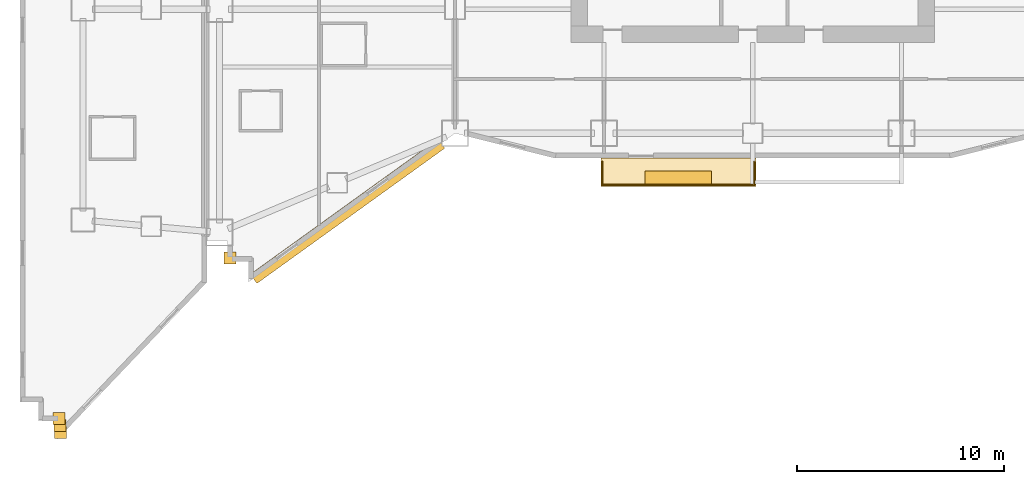
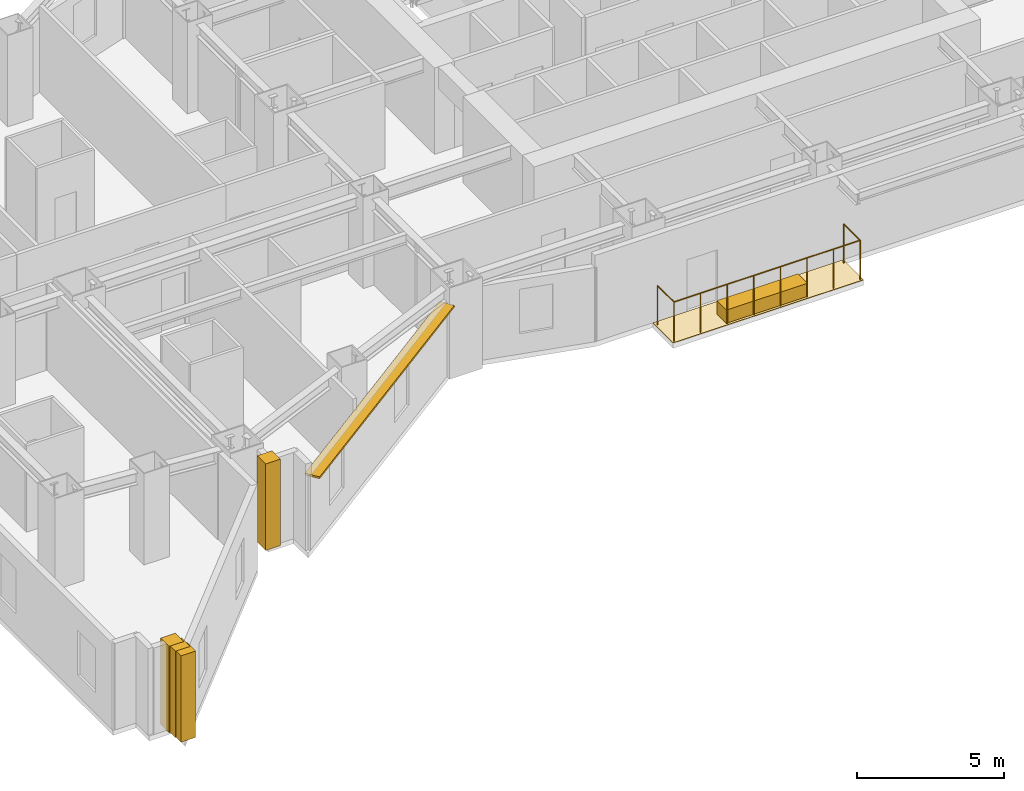
# One storey, part 13 of 17: 6 coverings, 2 railings, 1 shading device.
"""IFC4 building model written with IfcOpenShell, lengths in metres."""

import ifcopenshell
import ifcopenshell.guid

model = None  # the IFC model being written
_history = None  # IfcOwnerHistory: only IFC2X3 demands one
_inside = {}  # id of a spatial element -> (the spatial element, [elements in it])
_under = {}  # id of a project, library or spatial element -> (it, [spatial elements below it])
_declared = {}  # id of a project -> (the project, [libraries it declares])
_typed = {}  # id of a type object -> (the type object, [elements of that type])
_made_of = {}  # id of a material, layer set ... -> (it, [elements and type objects made of it])


def new_model(schema):
    """Start an empty IFC model of exactly this schema.

    Asked for "IFC4X3", IfcOpenShell would pick the latest addendum, in which some entities
    have other attributes; the version numbers below select the first issue.
    IFC2X3 requires an IfcOwnerHistory on every rooted entity: one is made here for all.
    """
    global model, _history
    if schema == "IFC4X3":
        model = ifcopenshell.file(schema_version=(4, 3, 0, 0))
    else:
        model = ifcopenshell.file(schema=schema)
    _inside.clear()
    _under.clear()
    _declared.clear()
    _typed.clear()
    _made_of.clear()
    _history = None
    if model.schema == "IFC2X3":
        org = make("IfcOrganization", Name="unknown")
        user = make(
            "IfcPersonAndOrganization",
            ThePerson=make("IfcPerson", FamilyName="unknown"),
            TheOrganization=org,
        )
        app = make(
            "IfcApplication",
            ApplicationDeveloper=org,
            Version="unknown",
            ApplicationFullName="unknown",
            ApplicationIdentifier="unknown",
        )
        _history = make(
            "IfcOwnerHistory",
            OwningUser=user,
            OwningApplication=app,
            ChangeAction="ADDED",
            CreationDate=0,
        )
    return model


def make(cls, **values):
    """One entity of the class cls with the attributes given. An attribute that is None is left unset."""
    return model.create_entity(
        cls, **{name: value for name, value in values.items() if value is not None}
    )


def rooted(cls, **values):
    """An entity with a GlobalId (a new one), such as an element, a storey or a relation."""
    return make(cls, GlobalId=ifcopenshell.guid.new(), OwnerHistory=_history, **values)


def si_unit(unit_type, name, prefix=None):
    """IfcSIUnit, for example si_unit("LENGTHUNIT", "METRE", prefix="MILLI")."""
    return make("IfcSIUnit", UnitType=unit_type, Prefix=prefix, Name=name)


def assignment(units):
    """IfcUnitAssignment: the units of a project."""
    return None if units is None else make("IfcUnitAssignment", Units=units)


def point(xyz):
    """IfcCartesianPoint."""
    return None if xyz is None else make("IfcCartesianPoint", Coordinates=xyz)


def direction(xyz):
    """IfcDirection."""
    return None if xyz is None else make("IfcDirection", DirectionRatios=xyz)


def frame(location, z_axis=None, x_axis=None):
    """IfcAxis2Placement3D, a coordinate frame: its origin and axes. An axis left out is left unset."""
    return make(
        "IfcAxis2Placement3D",
        Location=point(location),
        Axis=direction(z_axis),
        RefDirection=direction(x_axis),
    )


def frame_2d(location, x_axis=None):
    """IfcAxis2Placement2D, a coordinate frame in the plane: its origin and x axis."""
    return make(
        "IfcAxis2Placement2D", Location=point(location), RefDirection=direction(x_axis)
    )


def origin():
    """The frame at (0, 0, 0) with its axes left unset."""
    return frame((0.0, 0.0, 0.0))


def origin_2d():
    """The frame at (0, 0) in the plane with its x axis left unset."""
    return frame_2d((0.0, 0.0))


def place(relative_to, where):
    """IfcLocalPlacement: puts the frame where relative to a parent placement (None: the world)."""
    return make(
        "IfcLocalPlacement", PlacementRelTo=relative_to, RelativePlacement=where
    )


def context(
    kind, dimensions, precision=None, world=None, true_north=None, identifier=None
):
    """IfcGeometricRepresentationContext, for example the 3D "Model" context."""
    return make(
        "IfcGeometricRepresentationContext",
        ContextIdentifier=identifier,
        ContextType=kind,
        CoordinateSpaceDimension=dimensions,
        Precision=precision,
        WorldCoordinateSystem=world,
        TrueNorth=true_north,
    )


def subcontext(parent, identifier, kind, view, scale=None):
    """IfcGeometricRepresentationSubContext, for example "Body" below "Model"."""
    return make(
        "IfcGeometricRepresentationSubContext",
        ContextIdentifier=identifier,
        ContextType=kind,
        ParentContext=parent,
        TargetScale=scale,
        TargetView=view,
    )


def project(units=None, contexts=None):
    """IfcProject with its units and contexts."""
    return rooted(
        "IfcProject",
        Name="project",
        RepresentationContexts=contexts,
        UnitsInContext=assignment(units),
    )


def spatial(cls, under=None, at=None, **own):
    """A site, building, storey or space (cls), placed at a placement, below another one or the project."""
    s = rooted(cls, ObjectPlacement=at, **own)
    if under is not None:
        _under.setdefault(under.id(), (under, []))[1].append(s)
    return s


def polyline(points):
    """IfcPolyline through the points."""
    return make("IfcPolyline", Points=[point(p) for p in points])


def profile(cls, at=None, kind="AREA", **sizes):
    """A parametric profile (cls). Its sizes go by their IFC names, for example OverallWidth=200.0."""
    return make(cls, ProfileType=kind, Position=at, **sizes)


def rectangle(**sizes):
    """IfcRectangleProfileDef."""
    return profile("IfcRectangleProfileDef", **sizes)


def circle(**sizes):
    """IfcCircleProfileDef."""
    return profile("IfcCircleProfileDef", **sizes)


def outline(outer, holes=None, kind="AREA"):
    """IfcArbitraryClosedProfileDef: a profile drawn as a closed curve; with holes, ...WithVoids."""
    if holes is None:
        return make("IfcArbitraryClosedProfileDef", ProfileType=kind, OuterCurve=outer)
    return make(
        "IfcArbitraryProfileDefWithVoids",
        ProfileType=kind,
        OuterCurve=outer,
        InnerCurves=holes,
    )


def extrude(swept, where, along, depth):
    """IfcExtrudedAreaSolid: the profile swept, set in the frame where, extruded along a direction by depth."""
    return make(
        "IfcExtrudedAreaSolid",
        SweptArea=swept,
        Position=where,
        ExtrudedDirection=direction(along),
        Depth=depth,
    )


def shape(context_of_items, identifier, shape_type, items):
    """IfcShapeRepresentation: the items that make up one representation, for example the "Body"."""
    return make(
        "IfcShapeRepresentation",
        ContextOfItems=context_of_items,
        RepresentationIdentifier=identifier,
        RepresentationType=shape_type,
        Items=items,
    )


def material(Name=None, Category=None):
    """IfcMaterial."""
    return make("IfcMaterial", Name=Name, Category=Category)


def layer(
    of_material, thickness, ventilated=None, Name=None, Category=None, Priority=None
):
    """IfcMaterialLayer: one layer of a wall or slab, of a material (None: an air gap)."""
    return make(
        "IfcMaterialLayer",
        Material=of_material,
        LayerThickness=thickness,
        IsVentilated=ventilated,
        Name=Name,
        Category=Category,
        Priority=Priority,
    )


def layer_set(layers, Name=None):
    """IfcMaterialLayerSet."""
    return make("IfcMaterialLayerSet", MaterialLayers=layers, LayerSetName=Name)


def made_of(thing, what):
    """Note that an element or type object is made of a material, layer set ...; save() writes the relation."""
    if what is not None:
        _made_of.setdefault(what.id(), (what, []))[1].append(thing)
    return thing


def type_object(cls, material=None, **own):
    """A type object (cls), such as IfcWallType, which elements share."""
    return made_of(rooted(cls, **own), material)


def element(
    cls,
    number,
    at=None,
    inside=None,
    cuts=None,
    type_object=None,
    material=None,
    context=None,
    identifier="Body",
    shape_type=None,
    held_by="IfcProductDefinitionShape",
    body=None,
    shapes=None,
    **own,
):
    """One element of the class cls, such as IfcWall. Its Tag is "e" and its number.

    at: its placement. inside: the storey or other place that contains it. cuts: it is an
    opening in that element (IfcRelVoidsElement). A single representation is given by context,
    identifier, shape_type and body (its items); several are given by shapes. held_by: the class
    of the entity that holds the representations. save() writes the other relations.
    """
    e = rooted(cls, Tag="e%d" % number, ObjectPlacement=at, **own)
    if body is not None:
        shapes = [shape(context, identifier, shape_type, body)]
    if shapes is not None:
        e.Representation = make(held_by, Representations=shapes)
    if inside is not None:
        _inside.setdefault(inside.id(), (inside, []))[1].append(e)
    if cuts is not None:
        rooted(
            "IfcRelVoidsElement", RelatingBuildingElement=cuts, RelatedOpeningElement=e
        )
    if type_object is not None:
        _typed.setdefault(type_object.id(), (type_object, []))[1].append(e)
    return made_of(e, material)


def aggregate(whole, parts):
    """IfcRelAggregates: a whole, such as a stair, and the parts it consists of."""
    return rooted("IfcRelAggregates", RelatingObject=whole, RelatedObjects=parts)


def save(model, path):
    """Write the relations noted so far, then the file.

    IfcRelAggregates (storeys below a building ...), IfcRelContainedInSpatialStructure (elements
    in a storey), IfcRelDefinesByType, IfcRelAssociatesMaterial and IfcRelDeclares: one each for
    every whole, place, type object, material and project.
    """
    for whole, parts in _under.values():
        aggregate(whole, parts)
    for where, things in _inside.values():
        rooted(
            "IfcRelContainedInSpatialStructure",
            RelatedElements=things,
            RelatingStructure=where,
        )
    for kind, things in _typed.values():
        rooted("IfcRelDefinesByType", RelatedObjects=things, RelatingType=kind)
    for what, things in _made_of.values():
        rooted("IfcRelAssociatesMaterial", RelatedObjects=things, RelatingMaterial=what)
    for by, libraries in _declared.values():
        rooted("IfcRelDeclares", RelatingContext=by, RelatedDefinitions=libraries)
    model.write(path)


model = new_model("IFC4")

# Units and contexts
model_context = context("Model", 3, precision=1e-05, world=origin(), true_north=direction((0.0, 1.0)))
body_context = subcontext(model_context, "Body", "Model", "MODEL_VIEW")
ifc_project = project(units=[si_unit("LENGTHUNIT", "METRE"), si_unit("AREAUNIT", "SQUARE_METRE"), si_unit("VOLUMEUNIT", "CUBIC_METRE"), si_unit("PLANEANGLEUNIT", "RADIAN"), si_unit("MASSUNIT", "GRAM", prefix="KILO")], contexts=[model_context])

# Site, building, storey
site_placement = place(None, origin())
site = spatial("IfcSite", under=ifc_project, at=site_placement, CompositionType="ELEMENT")
building_placement = place(site_placement, origin())
building = spatial("IfcBuilding", under=site, at=building_placement, Name="Haolan Belvedere Tower", CompositionType="ELEMENT")
storey_placement = place(building_placement, frame((0.0, 0.0, 31.60009765625)))
storey = spatial("IfcBuildingStorey", under=building, at=storey_placement, Name="L07", CompositionType="ELEMENT", Elevation=31.60009765625)

# Coverings
ifc_material_1 = material(Name="Pale champagne-silver anodised aluminium rainscreen cladding", Category="aluminium")
ifc_layer_1 = layer(ifc_material_1, 0.034912109375, Name="Pale champagne-silver anodised aluminium rainscreen cladding")
ifc_layer_set_1 = layer_set([ifc_layer_1], Name="Pale champagne-silver anodised aluminium rainscreen cladding")
covering_type_1 = type_object("IfcCoveringType", Name="COV-CLAD-35", PredefinedType="CLADDING", material=ifc_layer_set_1)
for number, where, z_axis, x_axis, name in (
    (1, (4.83740234375, 7.81201171875, -0.000244140625), (0.0, 0.0, 1.0), (1.0, 0.0, 0.0), "L07 pale-metal serrated corner cladding trim 1"),
    (2, (4.8798828125, 7.4521484375, -0.000244140625), (0.0, 0.0, 1.0), (1.0, 0.0, 0.0), "L07 pale-metal serrated corner cladding trim 2"),
    (3, (4.9091796875, 7.123046875, -0.000244140625), (0.0, 0.0, 1.0), (1.0, 0.0, 0.0), "L07 pale-metal serrated corner cladding trim 3"),
    (4, (13.1201171875, 15.5625, -0.000244140625), (0.0, 0.0, 1.0), (1.0, 0.0, 0.0), "L07 pale-metal serrated corner cladding trim 4"),
):
    element("IfcCovering", number, at=place(storey_placement, frame(where, z_axis=z_axis, x_axis=x_axis)), inside=storey, type_object=covering_type_1, Name=name, PredefinedType="CLADDING", context=body_context, shape_type="SweptSolid", body=[
        extrude(rectangle(XDim=0.580078125, YDim=0.580078125, at=origin_2d()), origin(), (0.0, 0.0, 1.0), 3.60009765625),
    ])
ifc_material_2 = material(Name="Engineered lightweight planted garden soil substrate", Category="masonry")
ifc_layer_2 = layer(ifc_material_2, 0.550048828125, Name="Engineered lightweight planted garden soil substrate")
ifc_layer_set_2 = layer_set([ifc_layer_2], Name="Engineered lightweight planted garden soil substrate")
covering_type_2 = type_object("IfcCoveringType", Name="COV-PLANT-550", PredefinedType="MEMBRANE", material=ifc_layer_set_2)
covering_1_placement = place(storey_placement, frame((34.800048828125, 19.43994140625, 0.0), z_axis=(0.0, 0.0, 1.0), x_axis=(1.0, 0.0, 0.0)))
element("IfcCovering", 5, at=covering_1_placement, inside=storey, type_object=covering_type_2, Name="L07 structural tree balcony PLANTER box 1", PredefinedType="MEMBRANE", context=body_context, shape_type="SweptSolid", body=[
    extrude(rectangle(XDim=3.199951171875, YDim=0.64990234375, at=origin_2d()), origin(), (0.0, 0.0, 1.0), 0.550048828125),
])
ifc_material_3 = material(Name="Elastomeric waterproof roofing membrane and stone pavers", Category="masonry")
ifc_layer_3 = layer(ifc_material_3, 0.02001953125, Name="Elastomeric waterproof roofing membrane and stone pavers")
ifc_layer_set_3 = layer_set([ifc_layer_3], Name="Elastomeric waterproof roofing membrane and stone pavers")
covering_type_3 = type_object("IfcCoveringType", Name="COV-ROOF-20", PredefinedType="ROOFING", material=ifc_layer_set_3)
covering_2_placement = place(storey_placement, frame((0.0, 0.0, -0.02001953125)))
element("IfcCovering", 6, at=covering_2_placement, inside=storey, type_object=covering_type_3, Name="L07 tree-balcony waterproof membrane 1", PredefinedType="ROOFING", context=body_context, shape_type="SweptSolid", body=[
    extrude(outline(polyline([(31.050048828125, 19.02001953125), (38.550048828125, 19.02001953125), (38.550048828125, 20.39990234375), (31.050048828125, 20.39990234375), (31.050048828125, 19.02001953125)])), origin(), (0.0, 0.0, 1.0), 0.02001953125),
])

# Railings
ifc_material_4 = material(Name="Anodised aluminium and laminated glass balustrade", Category="aluminium")
railing_type = type_object("IfcRailingType", Name="RL-TER-BAL-1150", PredefinedType="BALUSTRADE", material=ifc_material_4)
railing_1_placement = place(storey_placement, frame((31.1298828125, 19.10009765625, 0.0)))
element("IfcRailing", 7, at=railing_1_placement, inside=storey, type_object=railing_type, Name="L07 outdoor perimeter balustrade BAL-L07-1-1", PredefinedType="BALUSTRADE", context=body_context, shape_type="SweptSolid", body=[
    extrude(circle(Radius=0.02392578125, at=origin_2d()), frame((0.0, 0.0, 1.6259765625), z_axis=(0.0, 1.0, 0.0), x_axis=(-1.0, 0.0, 0.0)), (0.0, 0.0, 1.0), 1.119873046875),
    extrude(circle(Radius=0.02099609375, at=origin_2d()), origin(), (0.0, 0.0, 1.0), 1.601806640625),
    extrude(circle(Radius=0.02099609375, at=origin_2d()), frame((0.0, 1.119873046875, 0.0)), (0.0, 0.0, 1.0), 1.601806640625),
])
railing_2_placement = place(storey_placement, frame((38.469970703125, 20.219970703125, 0.0)))
element("IfcRailing", 8, at=railing_2_placement, inside=storey, type_object=railing_type, Name="L07 outdoor perimeter balustrade BAL-L07-1-2", PredefinedType="BALUSTRADE", context=body_context, shape_type="SweptSolid", body=[
    extrude(circle(Radius=0.02392578125, at=origin_2d()), frame((0.0, 0.0, 1.6259765625), z_axis=(0.0, -1.0, 0.0), x_axis=(1.0, 0.0, 0.0)), (0.0, 0.0, 1.0), 1.119873046875),
    extrude(circle(Radius=0.02392578125, at=origin_2d()), frame((0.0, -1.119873046875, 1.6259765625), z_axis=(-1.0, 0.0, 0.0), x_axis=(0.0, -1.0, 0.0)), (0.0, 0.0, 1.0), 7.340087890625),
    extrude(circle(Radius=0.02099609375, at=origin_2d()), origin(), (0.0, 0.0, 1.0), 1.601806640625),
    extrude(circle(Radius=0.02099609375, at=origin_2d()), frame((0.0, -1.119873046875, 0.0)), (0.0, 0.0, 1.0), 1.601806640625),
    extrude(circle(Radius=0.02099609375, at=origin_2d()), frame((-1.048583984375, -1.119873046875, 0.0)), (0.0, 0.0, 1.0), 1.601806640625),
    extrude(circle(Radius=0.02099609375, at=origin_2d()), frame((-2.09716796875, -1.119873046875, 0.0)), (0.0, 0.0, 1.0), 1.601806640625),
    extrude(circle(Radius=0.02099609375, at=origin_2d()), frame((-3.145751953125, -1.119873046875, 0.0)), (0.0, 0.0, 1.0), 1.601806640625),
    extrude(circle(Radius=0.02099609375, at=origin_2d()), frame((-4.1943359375, -1.119873046875, 0.0)), (0.0, 0.0, 1.0), 1.601806640625),
    extrude(circle(Radius=0.02099609375, at=origin_2d()), frame((-5.242919921875, -1.119873046875, 0.0)), (0.0, 0.0, 1.0), 1.601806640625),
    extrude(circle(Radius=0.02099609375, at=origin_2d()), frame((-6.29150390625, -1.119873046875, 0.0)), (0.0, 0.0, 1.0), 1.601806640625),
    extrude(circle(Radius=0.02099609375, at=origin_2d()), frame((-7.340087890625, -1.119873046875, 0.0)), (0.0, 0.0, 1.0), 1.601806640625),
])

# Shading device
ifc_material_5 = material(Name="Anodised champagne-silver aluminium 6063-T6", Category="aluminium")
ifc_layer_4 = layer(ifc_material_5, 0.080078125, Name="Anodised champagne-silver aluminium 6063-T6")
ifc_layer_set_4 = layer_set([ifc_layer_4], Name="Anodised champagne-silver aluminium 6063-T6")
shading_device_type = type_object("IfcShadingDeviceType", Name="SHD-SUN-550", PredefinedType="USERDEFINED", material=ifc_layer_set_4)
shading_device_placement = place(storey_placement, frame((18.798583984375, 17.830322265625, 2.996826171875), z_axis=(0.0, 0.0, 1.0), x_axis=(0.811533191666, 0.584306322766, 0.0)))
element("IfcShadingDevice", 9, at=shading_device_placement, inside=storey, type_object=shading_device_type, Name="L07 pale-metal horizontal SUNSHADE band 11.1", ObjectType="SUNSHADE", PredefinedType="USERDEFINED", context=body_context, shape_type="SweptSolid", body=[
    extrude(rectangle(XDim=11.1982421875, YDim=0.550048828125, at=origin_2d()), origin(), (0.0, 0.0, 1.0), 0.080078125),
])

save(model, "model.ifc")
